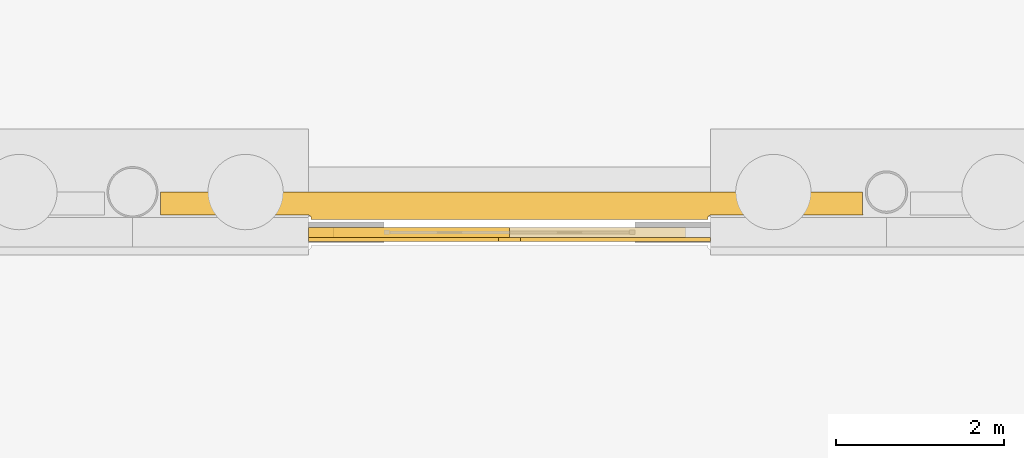
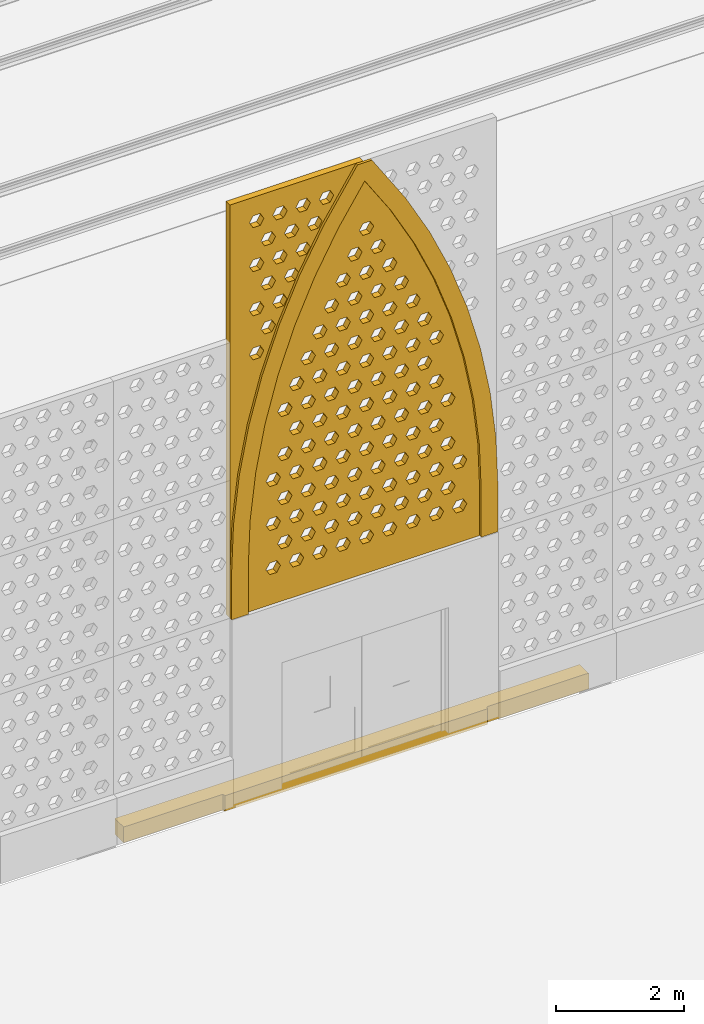
# One storey, part 198 of 250: 2 coverings, 2 shading devices.
"""IFC4 building model written with IfcOpenShell, lengths in metres."""

from ifc_helpers import new_model, si_unit, direction, frame, origin, place, context, subcontext, project, spatial, polyline, outline, extrude, material, layer, layer_set, type_object, element, save


model = new_model("IFC4")

# Units and contexts
model_context = context("Model", 3, precision=1e-05, world=origin(), true_north=direction((0.0, 1.0)))
body_context = subcontext(model_context, "Body", "Model", "MODEL_VIEW")
ifc_project = project(units=[si_unit("LENGTHUNIT", "METRE"), si_unit("AREAUNIT", "SQUARE_METRE"), si_unit("VOLUMEUNIT", "CUBIC_METRE"), si_unit("PLANEANGLEUNIT", "RADIAN"), si_unit("MASSUNIT", "GRAM", prefix="KILO")], contexts=[model_context])

# Site, building, storey
site_placement = place(None, origin())
site = spatial("IfcSite", under=ifc_project, at=site_placement, CompositionType="ELEMENT")
building_placement = place(site_placement, origin())
building = spatial("IfcBuilding", under=site, at=building_placement, Name="Baradari Gate Terminus", CompositionType="ELEMENT")
storey_placement = place(building_placement, origin())
storey = spatial("IfcBuildingStorey", under=building, at=storey_placement, Name="L00", CompositionType="ELEMENT", Elevation=0.0)

# Covering
ifc_material_1 = material(Name="Laterite masonry", Category="masonry")
ifc_layer_1 = layer(ifc_material_1, 0.050048828125)
ifc_layer_set_1 = layer_set([ifc_layer_1], Name="Laterite masonry")
covering_type_1 = type_object("IfcCoveringType", Name="Arch ring RG-1 50", PredefinedType="CLADDING", material=ifc_layer_set_1)
covering_1_placement = place(storey_placement, frame((191.10009765625, 35.43505859375, 3.52490234375), z_axis=(0.0, 0.0, 1.0), x_axis=(1.0, 0.0, 0.0)))
element("IfcCovering", 1, at=covering_1_placement, inside=storey, type_object=covering_type_1, Name="Arch ring RG-1 SC04b", PredefinedType="CLADDING", context=body_context, shape_type="SweptSolid", body=[
    extrude(outline(polyline([(0.034423828125, 1.8046875), (0.0, 0.90576171875), (0.0, 0.0), (0.300048828125, 0.0), (0.300048828125, 0.900146484375), (0.333740234375, 1.78173828125), (0.435302734375, 2.658203125), (0.603515625, 3.5244140625), (0.837646484375, 4.375), (1.13623046875, 5.205322265625), (1.49755859375, 6.01025390625), (1.919677734375, 6.784912109375), (2.39990234375, 7.525146484375), (2.880126953125, 6.784912109375), (3.30224609375, 6.01025390625), (3.663818359375, 5.205322265625), (3.96240234375, 4.375), (4.196533203125, 3.5244140625), (4.36474609375, 2.658203125), (4.466064453125, 1.78173828125), (4.5, 0.900146484375), (4.5, 0.0), (4.800048828125, 0.0), (4.800048828125, 0.90576171875), (4.765380859375, 1.8046875), (4.66162109375, 2.7041015625), (4.48876953125, 3.5927734375), (4.24853515625, 4.4658203125), (3.942138671875, 5.317626953125), (3.5712890625, 6.1435546875), (3.13818359375, 6.9384765625), (2.530517578125, 7.875), (2.26953125, 7.875), (1.661865234375, 6.9384765625), (1.228759765625, 6.1435546875), (0.85791015625, 5.317626953125), (0.55126953125, 4.4658203125), (0.31103515625, 3.5927734375), (0.138427734375, 2.7041015625), (0.034423828125, 1.8046875)])), frame((0.0, 0.02490234375, 0.0), z_axis=(0.0, -1.0, 0.0), x_axis=(1.0, 0.0, 0.0)), (0.0, 0.0, 1.0), 0.050048828125),
])

# Shading devices
ifc_material_2 = material(Name="Concrete C50/60 precast", Category="concrete")
ifc_layer_2 = layer(ifc_material_2, 0.1201171875)
ifc_layer_set_2 = layer_set([ifc_layer_2], Name="Concrete C50/60 precast")
shading_device_type = type_object("IfcShadingDeviceType", Name="Jali screen panel JS-2 120", PredefinedType="SHUTTER", material=ifc_layer_set_2)
shading_device_1_placement = place(storey_placement, frame((191.39990234375, 35.52001953125, 3.52490234375), z_axis=(0.0, 0.0, 1.0), x_axis=(1.0, 0.0, 0.0)))
element("IfcShadingDevice", 2, at=shading_device_1_placement, inside=storey, type_object=shading_device_type, Name="Jali screen panel JS-2 SC04b arch A", PredefinedType="SHUTTER", context=body_context, shape_type="SweptSolid", body=[
    extrude(outline(polyline([(0.0, 0.900146484375), (0.0, 0.0), (4.199951171875, 0.0), (4.199951171875, 0.900146484375), (4.166259765625, 1.78173828125), (4.064697265625, 2.658203125), (3.896484375, 3.5244140625), (3.662353515625, 4.375), (3.36376953125, 5.205322265625), (3.00244140625, 6.01025390625), (2.580322265625, 6.784912109375), (2.10009765625, 7.525146484375), (1.619873046875, 6.784912109375), (1.19775390625, 6.01025390625), (0.836181640625, 5.205322265625), (0.53759765625, 4.375), (0.303466796875, 3.5244140625), (0.13525390625, 2.658203125), (0.033935546875, 1.78173828125), (0.0, 0.900146484375)]), holes=[polyline([(0.610107421875, 0.690185546875), (0.544921875, 0.57763671875), (0.4150390625, 0.57763671875), (0.35009765625, 0.690185546875), (0.4150390625, 0.802734375), (0.544921875, 0.802734375), (0.610107421875, 0.690185546875)]), polyline([(1.030029296875, 0.690185546875), (0.965087890625, 0.57763671875), (0.8349609375, 0.57763671875), (0.77001953125, 0.690185546875), (0.8349609375, 0.802734375), (0.965087890625, 0.802734375), (1.030029296875, 0.690185546875)]), polyline([(1.449951171875, 0.690185546875), (1.385009765625, 0.57763671875), (1.2548828125, 0.57763671875), (1.18994140625, 0.690185546875), (1.2548828125, 0.802734375), (1.385009765625, 0.802734375), (1.449951171875, 0.690185546875)]), polyline([(1.8701171875, 0.690185546875), (1.804931640625, 0.57763671875), (1.675048828125, 0.57763671875), (1.610107421875, 0.690185546875), (1.675048828125, 0.802734375), (1.804931640625, 0.802734375), (1.8701171875, 0.690185546875)]), polyline([(2.2900390625, 0.690185546875), (2.22509765625, 0.57763671875), (2.094970703125, 0.57763671875), (2.030029296875, 0.690185546875), (2.094970703125, 0.802734375), (2.22509765625, 0.802734375), (2.2900390625, 0.690185546875)]), polyline([(2.7099609375, 0.690185546875), (2.64501953125, 0.57763671875), (2.514892578125, 0.57763671875), (2.449951171875, 0.690185546875), (2.514892578125, 0.802734375), (2.64501953125, 0.802734375), (2.7099609375, 0.690185546875)]), polyline([(3.1298828125, 0.690185546875), (3.06494140625, 0.57763671875), (2.93505859375, 0.57763671875), (2.8701171875, 0.690185546875), (2.93505859375, 0.802734375), (3.06494140625, 0.802734375), (3.1298828125, 0.690185546875)]), polyline([(3.550048828125, 0.690185546875), (3.485107421875, 0.57763671875), (3.35498046875, 0.57763671875), (3.2900390625, 0.690185546875), (3.35498046875, 0.802734375), (3.485107421875, 0.802734375), (3.550048828125, 0.690185546875)]), polyline([(3.969970703125, 0.690185546875), (3.905029296875, 0.57763671875), (3.77490234375, 0.57763671875), (3.7099609375, 0.690185546875), (3.77490234375, 0.802734375), (3.905029296875, 0.802734375), (3.969970703125, 0.690185546875)]), polyline([(0.820068359375, 1.110107421875), (0.7548828125, 0.99755859375), (0.625, 0.99755859375), (0.56005859375, 1.110107421875), (0.625, 1.22265625), (0.7548828125, 1.22265625), (0.820068359375, 1.110107421875)]), polyline([(1.239990234375, 1.110107421875), (1.175048828125, 0.99755859375), (1.044921875, 0.99755859375), (0.97998046875, 1.110107421875), (1.044921875, 1.22265625), (1.175048828125, 1.22265625), (1.239990234375, 1.110107421875)]), polyline([(1.659912109375, 1.110107421875), (1.594970703125, 0.99755859375), (1.465087890625, 0.99755859375), (1.39990234375, 1.110107421875), (1.465087890625, 1.22265625), (1.594970703125, 1.22265625), (1.659912109375, 1.110107421875)]), polyline([(2.080078125, 1.110107421875), (2.014892578125, 0.99755859375), (1.885009765625, 0.99755859375), (1.820068359375, 1.110107421875), (1.885009765625, 1.22265625), (2.014892578125, 1.22265625), (2.080078125, 1.110107421875)]), polyline([(2.5, 1.110107421875), (2.43505859375, 0.99755859375), (2.304931640625, 0.99755859375), (2.239990234375, 1.110107421875), (2.304931640625, 1.22265625), (2.43505859375, 1.22265625), (2.5, 1.110107421875)]), polyline([(2.919921875, 1.110107421875), (2.85498046875, 0.99755859375), (2.72509765625, 0.99755859375), (2.659912109375, 1.110107421875), (2.72509765625, 1.22265625), (2.85498046875, 1.22265625), (2.919921875, 1.110107421875)]), polyline([(3.340087890625, 1.110107421875), (3.27490234375, 0.99755859375), (3.14501953125, 0.99755859375), (3.080078125, 1.110107421875), (3.14501953125, 1.22265625), (3.27490234375, 1.22265625), (3.340087890625, 1.110107421875)]), polyline([(3.760009765625, 1.110107421875), (3.695068359375, 0.99755859375), (3.56494140625, 0.99755859375), (3.5, 1.110107421875), (3.56494140625, 1.22265625), (3.695068359375, 1.22265625), (3.760009765625, 1.110107421875)]), polyline([(0.610107421875, 1.530029296875), (0.544921875, 1.41748046875), (0.4150390625, 1.41748046875), (0.35009765625, 1.530029296875), (0.4150390625, 1.642578125), (0.544921875, 1.642578125), (0.610107421875, 1.530029296875)]), polyline([(1.030029296875, 1.530029296875), (0.965087890625, 1.41748046875), (0.8349609375, 1.41748046875), (0.77001953125, 1.530029296875), (0.8349609375, 1.642578125), (0.965087890625, 1.642578125), (1.030029296875, 1.530029296875)]), polyline([(1.449951171875, 1.530029296875), (1.385009765625, 1.41748046875), (1.2548828125, 1.41748046875), (1.18994140625, 1.530029296875), (1.2548828125, 1.642578125), (1.385009765625, 1.642578125), (1.449951171875, 1.530029296875)]), polyline([(1.8701171875, 1.530029296875), (1.804931640625, 1.41748046875), (1.675048828125, 1.41748046875), (1.610107421875, 1.530029296875), (1.675048828125, 1.642578125), (1.804931640625, 1.642578125), (1.8701171875, 1.530029296875)]), polyline([(2.2900390625, 1.530029296875), (2.22509765625, 1.41748046875), (2.094970703125, 1.41748046875), (2.030029296875, 1.530029296875), (2.094970703125, 1.642578125), (2.22509765625, 1.642578125), (2.2900390625, 1.530029296875)]), polyline([(2.7099609375, 1.530029296875), (2.64501953125, 1.41748046875), (2.514892578125, 1.41748046875), (2.449951171875, 1.530029296875), (2.514892578125, 1.642578125), (2.64501953125, 1.642578125), (2.7099609375, 1.530029296875)]), polyline([(3.1298828125, 1.530029296875), (3.06494140625, 1.41748046875), (2.93505859375, 1.41748046875), (2.8701171875, 1.530029296875), (2.93505859375, 1.642578125), (3.06494140625, 1.642578125), (3.1298828125, 1.530029296875)]), polyline([(3.550048828125, 1.530029296875), (3.485107421875, 1.41748046875), (3.35498046875, 1.41748046875), (3.2900390625, 1.530029296875), (3.35498046875, 1.642578125), (3.485107421875, 1.642578125), (3.550048828125, 1.530029296875)]), polyline([(3.969970703125, 1.530029296875), (3.905029296875, 1.41748046875), (3.77490234375, 1.41748046875), (3.7099609375, 1.530029296875), (3.77490234375, 1.642578125), (3.905029296875, 1.642578125), (3.969970703125, 1.530029296875)]), polyline([(0.820068359375, 1.9501953125), (0.7548828125, 1.83740234375), (0.625, 1.83740234375), (0.56005859375, 1.9501953125), (0.625, 2.062744140625), (0.7548828125, 2.062744140625), (0.820068359375, 1.9501953125)]), polyline([(1.239990234375, 1.9501953125), (1.175048828125, 1.83740234375), (1.044921875, 1.83740234375), (0.97998046875, 1.9501953125), (1.044921875, 2.062744140625), (1.175048828125, 2.062744140625), (1.239990234375, 1.9501953125)]), polyline([(1.659912109375, 1.9501953125), (1.594970703125, 1.83740234375), (1.465087890625, 1.83740234375), (1.39990234375, 1.9501953125), (1.465087890625, 2.062744140625), (1.594970703125, 2.062744140625), (1.659912109375, 1.9501953125)]), polyline([(2.080078125, 1.9501953125), (2.014892578125, 1.83740234375), (1.885009765625, 1.83740234375), (1.820068359375, 1.9501953125), (1.885009765625, 2.062744140625), (2.014892578125, 2.062744140625), (2.080078125, 1.9501953125)]), polyline([(2.5, 1.9501953125), (2.43505859375, 1.83740234375), (2.304931640625, 1.83740234375), (2.239990234375, 1.9501953125), (2.304931640625, 2.062744140625), (2.43505859375, 2.062744140625), (2.5, 1.9501953125)]), polyline([(2.919921875, 1.9501953125), (2.85498046875, 1.83740234375), (2.72509765625, 1.83740234375), (2.659912109375, 1.9501953125), (2.72509765625, 2.062744140625), (2.85498046875, 2.062744140625), (2.919921875, 1.9501953125)]), polyline([(3.340087890625, 1.9501953125), (3.27490234375, 1.83740234375), (3.14501953125, 1.83740234375), (3.080078125, 1.9501953125), (3.14501953125, 2.062744140625), (3.27490234375, 2.062744140625), (3.340087890625, 1.9501953125)]), polyline([(3.760009765625, 1.9501953125), (3.695068359375, 1.83740234375), (3.56494140625, 1.83740234375), (3.5, 1.9501953125), (3.56494140625, 2.062744140625), (3.695068359375, 2.062744140625), (3.760009765625, 1.9501953125)]), polyline([(0.610107421875, 2.3701171875), (0.544921875, 2.257568359375), (0.4150390625, 2.257568359375), (0.35009765625, 2.3701171875), (0.4150390625, 2.482666015625), (0.544921875, 2.482666015625), (0.610107421875, 2.3701171875)]), polyline([(1.030029296875, 2.3701171875), (0.965087890625, 2.257568359375), (0.8349609375, 2.257568359375), (0.77001953125, 2.3701171875), (0.8349609375, 2.482666015625), (0.965087890625, 2.482666015625), (1.030029296875, 2.3701171875)]), polyline([(1.449951171875, 2.3701171875), (1.385009765625, 2.257568359375), (1.2548828125, 2.257568359375), (1.18994140625, 2.3701171875), (1.2548828125, 2.482666015625), (1.385009765625, 2.482666015625), (1.449951171875, 2.3701171875)]), polyline([(1.8701171875, 2.3701171875), (1.804931640625, 2.257568359375), (1.675048828125, 2.257568359375), (1.610107421875, 2.3701171875), (1.675048828125, 2.482666015625), (1.804931640625, 2.482666015625), (1.8701171875, 2.3701171875)]), polyline([(2.2900390625, 2.3701171875), (2.22509765625, 2.257568359375), (2.094970703125, 2.257568359375), (2.030029296875, 2.3701171875), (2.094970703125, 2.482666015625), (2.22509765625, 2.482666015625), (2.2900390625, 2.3701171875)]), polyline([(2.7099609375, 2.3701171875), (2.64501953125, 2.257568359375), (2.514892578125, 2.257568359375), (2.449951171875, 2.3701171875), (2.514892578125, 2.482666015625), (2.64501953125, 2.482666015625), (2.7099609375, 2.3701171875)]), polyline([(3.1298828125, 2.3701171875), (3.06494140625, 2.257568359375), (2.93505859375, 2.257568359375), (2.8701171875, 2.3701171875), (2.93505859375, 2.482666015625), (3.06494140625, 2.482666015625), (3.1298828125, 2.3701171875)]), polyline([(3.550048828125, 2.3701171875), (3.485107421875, 2.257568359375), (3.35498046875, 2.257568359375), (3.2900390625, 2.3701171875), (3.35498046875, 2.482666015625), (3.485107421875, 2.482666015625), (3.550048828125, 2.3701171875)]), polyline([(0.820068359375, 2.7900390625), (0.7548828125, 2.677490234375), (0.625, 2.677490234375), (0.56005859375, 2.7900390625), (0.625, 2.902587890625), (0.7548828125, 2.902587890625), (0.820068359375, 2.7900390625)]), polyline([(1.239990234375, 2.7900390625), (1.175048828125, 2.677490234375), (1.044921875, 2.677490234375), (0.97998046875, 2.7900390625), (1.044921875, 2.902587890625), (1.175048828125, 2.902587890625), (1.239990234375, 2.7900390625)]), polyline([(1.659912109375, 2.7900390625), (1.594970703125, 2.677490234375), (1.465087890625, 2.677490234375), (1.39990234375, 2.7900390625), (1.465087890625, 2.902587890625), (1.594970703125, 2.902587890625), (1.659912109375, 2.7900390625)]), polyline([(2.080078125, 2.7900390625), (2.014892578125, 2.677490234375), (1.885009765625, 2.677490234375), (1.820068359375, 2.7900390625), (1.885009765625, 2.902587890625), (2.014892578125, 2.902587890625), (2.080078125, 2.7900390625)]), polyline([(2.5, 2.7900390625), (2.43505859375, 2.677490234375), (2.304931640625, 2.677490234375), (2.239990234375, 2.7900390625), (2.304931640625, 2.902587890625), (2.43505859375, 2.902587890625), (2.5, 2.7900390625)]), polyline([(2.919921875, 2.7900390625), (2.85498046875, 2.677490234375), (2.72509765625, 2.677490234375), (2.659912109375, 2.7900390625), (2.72509765625, 2.902587890625), (2.85498046875, 2.902587890625), (2.919921875, 2.7900390625)]), polyline([(3.340087890625, 2.7900390625), (3.27490234375, 2.677490234375), (3.14501953125, 2.677490234375), (3.080078125, 2.7900390625), (3.14501953125, 2.902587890625), (3.27490234375, 2.902587890625), (3.340087890625, 2.7900390625)]), polyline([(3.760009765625, 2.7900390625), (3.695068359375, 2.677490234375), (3.56494140625, 2.677490234375), (3.5, 2.7900390625), (3.56494140625, 2.902587890625), (3.695068359375, 2.902587890625), (3.760009765625, 2.7900390625)]), polyline([(1.030029296875, 3.210205078125), (0.965087890625, 3.097412109375), (0.8349609375, 3.097412109375), (0.77001953125, 3.210205078125), (0.8349609375, 3.32275390625), (0.965087890625, 3.32275390625), (1.030029296875, 3.210205078125)]), polyline([(1.449951171875, 3.210205078125), (1.385009765625, 3.097412109375), (1.2548828125, 3.097412109375), (1.18994140625, 3.210205078125), (1.2548828125, 3.32275390625), (1.385009765625, 3.32275390625), (1.449951171875, 3.210205078125)]), polyline([(1.8701171875, 3.210205078125), (1.804931640625, 3.097412109375), (1.675048828125, 3.097412109375), (1.610107421875, 3.210205078125), (1.675048828125, 3.32275390625), (1.804931640625, 3.32275390625), (1.8701171875, 3.210205078125)]), polyline([(2.2900390625, 3.210205078125), (2.22509765625, 3.097412109375), (2.094970703125, 3.097412109375), (2.030029296875, 3.210205078125), (2.094970703125, 3.32275390625), (2.22509765625, 3.32275390625), (2.2900390625, 3.210205078125)]), polyline([(2.7099609375, 3.210205078125), (2.64501953125, 3.097412109375), (2.514892578125, 3.097412109375), (2.449951171875, 3.210205078125), (2.514892578125, 3.32275390625), (2.64501953125, 3.32275390625), (2.7099609375, 3.210205078125)]), polyline([(3.1298828125, 3.210205078125), (3.06494140625, 3.097412109375), (2.93505859375, 3.097412109375), (2.8701171875, 3.210205078125), (2.93505859375, 3.32275390625), (3.06494140625, 3.32275390625), (3.1298828125, 3.210205078125)]), polyline([(3.550048828125, 3.210205078125), (3.485107421875, 3.097412109375), (3.35498046875, 3.097412109375), (3.2900390625, 3.210205078125), (3.35498046875, 3.32275390625), (3.485107421875, 3.32275390625), (3.550048828125, 3.210205078125)]), polyline([(0.820068359375, 3.630126953125), (0.7548828125, 3.517578125), (0.625, 3.517578125), (0.56005859375, 3.630126953125), (0.625, 3.74267578125), (0.7548828125, 3.74267578125), (0.820068359375, 3.630126953125)]), polyline([(1.239990234375, 3.630126953125), (1.175048828125, 3.517578125), (1.044921875, 3.517578125), (0.97998046875, 3.630126953125), (1.044921875, 3.74267578125), (1.175048828125, 3.74267578125), (1.239990234375, 3.630126953125)]), polyline([(1.659912109375, 3.630126953125), (1.594970703125, 3.517578125), (1.465087890625, 3.517578125), (1.39990234375, 3.630126953125), (1.465087890625, 3.74267578125), (1.594970703125, 3.74267578125), (1.659912109375, 3.630126953125)]), polyline([(2.080078125, 3.630126953125), (2.014892578125, 3.517578125), (1.885009765625, 3.517578125), (1.820068359375, 3.630126953125), (1.885009765625, 3.74267578125), (2.014892578125, 3.74267578125), (2.080078125, 3.630126953125)]), polyline([(2.5, 3.630126953125), (2.43505859375, 3.517578125), (2.304931640625, 3.517578125), (2.239990234375, 3.630126953125), (2.304931640625, 3.74267578125), (2.43505859375, 3.74267578125), (2.5, 3.630126953125)]), polyline([(2.919921875, 3.630126953125), (2.85498046875, 3.517578125), (2.72509765625, 3.517578125), (2.659912109375, 3.630126953125), (2.72509765625, 3.74267578125), (2.85498046875, 3.74267578125), (2.919921875, 3.630126953125)]), polyline([(3.340087890625, 3.630126953125), (3.27490234375, 3.517578125), (3.14501953125, 3.517578125), (3.080078125, 3.630126953125), (3.14501953125, 3.74267578125), (3.27490234375, 3.74267578125), (3.340087890625, 3.630126953125)]), polyline([(1.030029296875, 4.050048828125), (0.965087890625, 3.9375), (0.8349609375, 3.9375), (0.77001953125, 4.050048828125), (0.8349609375, 4.16259765625), (0.965087890625, 4.16259765625), (1.030029296875, 4.050048828125)]), polyline([(1.449951171875, 4.050048828125), (1.385009765625, 3.9375), (1.2548828125, 3.9375), (1.18994140625, 4.050048828125), (1.2548828125, 4.16259765625), (1.385009765625, 4.16259765625), (1.449951171875, 4.050048828125)]), polyline([(1.8701171875, 4.050048828125), (1.804931640625, 3.9375), (1.675048828125, 3.9375), (1.610107421875, 4.050048828125), (1.675048828125, 4.16259765625), (1.804931640625, 4.16259765625), (1.8701171875, 4.050048828125)]), polyline([(2.2900390625, 4.050048828125), (2.22509765625, 3.9375), (2.094970703125, 3.9375), (2.030029296875, 4.050048828125), (2.094970703125, 4.16259765625), (2.22509765625, 4.16259765625), (2.2900390625, 4.050048828125)]), polyline([(2.7099609375, 4.050048828125), (2.64501953125, 3.9375), (2.514892578125, 3.9375), (2.449951171875, 4.050048828125), (2.514892578125, 4.16259765625), (2.64501953125, 4.16259765625), (2.7099609375, 4.050048828125)]), polyline([(3.1298828125, 4.050048828125), (3.06494140625, 3.9375), (2.93505859375, 3.9375), (2.8701171875, 4.050048828125), (2.93505859375, 4.16259765625), (3.06494140625, 4.16259765625), (3.1298828125, 4.050048828125)]), polyline([(3.550048828125, 4.050048828125), (3.485107421875, 3.9375), (3.35498046875, 3.9375), (3.2900390625, 4.050048828125), (3.35498046875, 4.16259765625), (3.485107421875, 4.16259765625), (3.550048828125, 4.050048828125)]), polyline([(1.239990234375, 4.47021484375), (1.175048828125, 4.357421875), (1.044921875, 4.357421875), (0.97998046875, 4.47021484375), (1.044921875, 4.582763671875), (1.175048828125, 4.582763671875), (1.239990234375, 4.47021484375)]), polyline([(1.659912109375, 4.47021484375), (1.594970703125, 4.357421875), (1.465087890625, 4.357421875), (1.39990234375, 4.47021484375), (1.465087890625, 4.582763671875), (1.594970703125, 4.582763671875), (1.659912109375, 4.47021484375)]), polyline([(2.080078125, 4.47021484375), (2.014892578125, 4.357421875), (1.885009765625, 4.357421875), (1.820068359375, 4.47021484375), (1.885009765625, 4.582763671875), (2.014892578125, 4.582763671875), (2.080078125, 4.47021484375)]), polyline([(2.5, 4.47021484375), (2.43505859375, 4.357421875), (2.304931640625, 4.357421875), (2.239990234375, 4.47021484375), (2.304931640625, 4.582763671875), (2.43505859375, 4.582763671875), (2.5, 4.47021484375)]), polyline([(2.919921875, 4.47021484375), (2.85498046875, 4.357421875), (2.72509765625, 4.357421875), (2.659912109375, 4.47021484375), (2.72509765625, 4.582763671875), (2.85498046875, 4.582763671875), (2.919921875, 4.47021484375)]), polyline([(3.340087890625, 4.47021484375), (3.27490234375, 4.357421875), (3.14501953125, 4.357421875), (3.080078125, 4.47021484375), (3.14501953125, 4.582763671875), (3.27490234375, 4.582763671875), (3.340087890625, 4.47021484375)]), polyline([(1.449951171875, 4.89013671875), (1.385009765625, 4.777587890625), (1.2548828125, 4.777587890625), (1.18994140625, 4.89013671875), (1.2548828125, 5.002685546875), (1.385009765625, 5.002685546875), (1.449951171875, 4.89013671875)]), polyline([(1.8701171875, 4.89013671875), (1.804931640625, 4.777587890625), (1.675048828125, 4.777587890625), (1.610107421875, 4.89013671875), (1.675048828125, 5.002685546875), (1.804931640625, 5.002685546875), (1.8701171875, 4.89013671875)]), polyline([(2.2900390625, 4.89013671875), (2.22509765625, 4.777587890625), (2.094970703125, 4.777587890625), (2.030029296875, 4.89013671875), (2.094970703125, 5.002685546875), (2.22509765625, 5.002685546875), (2.2900390625, 4.89013671875)]), polyline([(2.7099609375, 4.89013671875), (2.64501953125, 4.777587890625), (2.514892578125, 4.777587890625), (2.449951171875, 4.89013671875), (2.514892578125, 5.002685546875), (2.64501953125, 5.002685546875), (2.7099609375, 4.89013671875)]), polyline([(3.1298828125, 4.89013671875), (3.06494140625, 4.777587890625), (2.93505859375, 4.777587890625), (2.8701171875, 4.89013671875), (2.93505859375, 5.002685546875), (3.06494140625, 5.002685546875), (3.1298828125, 4.89013671875)]), polyline([(1.659912109375, 5.31005859375), (1.594970703125, 5.197509765625), (1.465087890625, 5.197509765625), (1.39990234375, 5.31005859375), (1.465087890625, 5.422607421875), (1.594970703125, 5.422607421875), (1.659912109375, 5.31005859375)]), polyline([(2.080078125, 5.31005859375), (2.014892578125, 5.197509765625), (1.885009765625, 5.197509765625), (1.820068359375, 5.31005859375), (1.885009765625, 5.422607421875), (2.014892578125, 5.422607421875), (2.080078125, 5.31005859375)]), polyline([(2.5, 5.31005859375), (2.43505859375, 5.197509765625), (2.304931640625, 5.197509765625), (2.239990234375, 5.31005859375), (2.304931640625, 5.422607421875), (2.43505859375, 5.422607421875), (2.5, 5.31005859375)]), polyline([(2.919921875, 5.31005859375), (2.85498046875, 5.197509765625), (2.72509765625, 5.197509765625), (2.659912109375, 5.31005859375), (2.72509765625, 5.422607421875), (2.85498046875, 5.422607421875), (2.919921875, 5.31005859375)]), polyline([(1.8701171875, 5.72998046875), (1.804931640625, 5.617431640625), (1.675048828125, 5.617431640625), (1.610107421875, 5.72998046875), (1.675048828125, 5.8427734375), (1.804931640625, 5.8427734375), (1.8701171875, 5.72998046875)]), polyline([(2.2900390625, 5.72998046875), (2.22509765625, 5.617431640625), (2.094970703125, 5.617431640625), (2.030029296875, 5.72998046875), (2.094970703125, 5.8427734375), (2.22509765625, 5.8427734375), (2.2900390625, 5.72998046875)]), polyline([(2.7099609375, 5.72998046875), (2.64501953125, 5.617431640625), (2.514892578125, 5.617431640625), (2.449951171875, 5.72998046875), (2.514892578125, 5.8427734375), (2.64501953125, 5.8427734375), (2.7099609375, 5.72998046875)]), polyline([(2.080078125, 6.150146484375), (2.014892578125, 6.03759765625), (1.885009765625, 6.03759765625), (1.820068359375, 6.150146484375), (1.885009765625, 6.2626953125), (2.014892578125, 6.2626953125), (2.080078125, 6.150146484375)]), polyline([(2.5, 6.150146484375), (2.43505859375, 6.03759765625), (2.304931640625, 6.03759765625), (2.239990234375, 6.150146484375), (2.304931640625, 6.2626953125), (2.43505859375, 6.2626953125), (2.5, 6.150146484375)]), polyline([(2.2900390625, 6.570068359375), (2.22509765625, 6.45751953125), (2.094970703125, 6.45751953125), (2.030029296875, 6.570068359375), (2.094970703125, 6.6826171875), (2.22509765625, 6.6826171875), (2.2900390625, 6.570068359375)])]), frame((0.0, 0.06005859375, 0.0), z_axis=(0.0, -1.0, 0.0), x_axis=(1.0, 0.0, 0.0)), (0.0, 0.0, 1.0), 0.1201171875),
])
shading_device_2_placement = place(storey_placement, frame((191.10009765625, 35.52001953125, 3.52490234375), z_axis=(0.0, 0.0, 1.0), x_axis=(1.0, 0.0, 0.0)))
element("IfcShadingDevice", 3, at=shading_device_2_placement, inside=storey, type_object=shading_device_type, Name="Jali screen panel JS-2 SC04b arch L1", PredefinedType="SHUTTER", context=body_context, shape_type="SweptSolid", body=[
    extrude(outline(polyline([(0.0, 0.0), (0.300048828125, 0.0), (0.300048828125, 0.900146484375), (0.333740234375, 1.78173828125), (0.435302734375, 2.658203125), (0.603515625, 3.5244140625), (0.837646484375, 4.375), (1.13623046875, 5.205322265625), (1.49755859375, 6.01025390625), (1.919677734375, 6.784912109375), (2.39990234375, 7.525146484375), (2.39990234375, 7.875), (0.0, 7.875), (0.0, 0.0)]), holes=[polyline([(0.610107421875, 4.89013671875), (0.544921875, 4.777587890625), (0.4150390625, 4.777587890625), (0.35009765625, 4.89013671875), (0.4150390625, 5.002685546875), (0.544921875, 5.002685546875), (0.610107421875, 4.89013671875)]), polyline([(0.820068359375, 5.31005859375), (0.7548828125, 5.197509765625), (0.625, 5.197509765625), (0.56005859375, 5.31005859375), (0.625, 5.422607421875), (0.7548828125, 5.422607421875), (0.820068359375, 5.31005859375)]), polyline([(0.610107421875, 5.72998046875), (0.544921875, 5.617431640625), (0.4150390625, 5.617431640625), (0.35009765625, 5.72998046875), (0.4150390625, 5.8427734375), (0.544921875, 5.8427734375), (0.610107421875, 5.72998046875)]), polyline([(1.030029296875, 5.72998046875), (0.965087890625, 5.617431640625), (0.8349609375, 5.617431640625), (0.77001953125, 5.72998046875), (0.8349609375, 5.8427734375), (0.965087890625, 5.8427734375), (1.030029296875, 5.72998046875)]), polyline([(0.820068359375, 6.150146484375), (0.7548828125, 6.03759765625), (0.625, 6.03759765625), (0.56005859375, 6.150146484375), (0.625, 6.2626953125), (0.7548828125, 6.2626953125), (0.820068359375, 6.150146484375)]), polyline([(1.239990234375, 6.150146484375), (1.175048828125, 6.03759765625), (1.044921875, 6.03759765625), (0.97998046875, 6.150146484375), (1.044921875, 6.2626953125), (1.175048828125, 6.2626953125), (1.239990234375, 6.150146484375)]), polyline([(0.610107421875, 6.570068359375), (0.544921875, 6.45751953125), (0.4150390625, 6.45751953125), (0.35009765625, 6.570068359375), (0.4150390625, 6.6826171875), (0.544921875, 6.6826171875), (0.610107421875, 6.570068359375)]), polyline([(1.030029296875, 6.570068359375), (0.965087890625, 6.45751953125), (0.8349609375, 6.45751953125), (0.77001953125, 6.570068359375), (0.8349609375, 6.6826171875), (0.965087890625, 6.6826171875), (1.030029296875, 6.570068359375)]), polyline([(1.449951171875, 6.570068359375), (1.385009765625, 6.45751953125), (1.2548828125, 6.45751953125), (1.18994140625, 6.570068359375), (1.2548828125, 6.6826171875), (1.385009765625, 6.6826171875), (1.449951171875, 6.570068359375)]), polyline([(0.820068359375, 6.989990234375), (0.7548828125, 6.87744140625), (0.625, 6.87744140625), (0.56005859375, 6.989990234375), (0.625, 7.102783203125), (0.7548828125, 7.102783203125), (0.820068359375, 6.989990234375)]), polyline([(1.239990234375, 6.989990234375), (1.175048828125, 6.87744140625), (1.044921875, 6.87744140625), (0.97998046875, 6.989990234375), (1.044921875, 7.102783203125), (1.175048828125, 7.102783203125), (1.239990234375, 6.989990234375)]), polyline([(1.659912109375, 6.989990234375), (1.594970703125, 6.87744140625), (1.465087890625, 6.87744140625), (1.39990234375, 6.989990234375), (1.465087890625, 7.102783203125), (1.594970703125, 7.102783203125), (1.659912109375, 6.989990234375)]), polyline([(0.610107421875, 7.41015625), (0.544921875, 7.297607421875), (0.4150390625, 7.297607421875), (0.35009765625, 7.41015625), (0.4150390625, 7.522705078125), (0.544921875, 7.522705078125), (0.610107421875, 7.41015625)]), polyline([(1.030029296875, 7.41015625), (0.965087890625, 7.297607421875), (0.8349609375, 7.297607421875), (0.77001953125, 7.41015625), (0.8349609375, 7.522705078125), (0.965087890625, 7.522705078125), (1.030029296875, 7.41015625)]), polyline([(1.449951171875, 7.41015625), (1.385009765625, 7.297607421875), (1.2548828125, 7.297607421875), (1.18994140625, 7.41015625), (1.2548828125, 7.522705078125), (1.385009765625, 7.522705078125), (1.449951171875, 7.41015625)]), polyline([(1.8701171875, 7.41015625), (1.804931640625, 7.297607421875), (1.675048828125, 7.297607421875), (1.610107421875, 7.41015625), (1.675048828125, 7.522705078125), (1.804931640625, 7.522705078125), (1.8701171875, 7.41015625)])]), frame((0.0, 0.06005859375, 0.0), z_axis=(0.0, -1.0, 0.0), x_axis=(1.0, 0.0, 0.0)), (0.0, 0.0, 1.0), 0.1201171875),
])

# Covering
ifc_material_3 = material(Name="Planted lawn")
ifc_layer_3 = layer(ifc_material_3, 0.300048828125)
ifc_layer_set_3 = layer_set([ifc_layer_3], Name="Planted lawn")
covering_type_2 = type_object("IfcCoveringType", Name="Planted lawn bed LW-1 300", PredefinedType="USERDEFINED", material=ifc_layer_set_3)
covering_2_placement = place(storey_placement, frame((0.0, 0.0, -0.300048828125)))
element("IfcCovering", 4, at=covering_2_placement, inside=storey, type_object=covering_type_2, Name="Planted lawn 7", ObjectType="LAWN", PredefinedType="USERDEFINED", context=body_context, shape_type="SweptSolid", body=[
    extrude(outline(polyline([(191.111572265625, 35.72265625), (191.1142578125, 35.721435546875), (191.11669921875, 35.719970703125), (191.119140625, 35.71826171875), (191.12109375, 35.71630859375), (191.123291015625, 35.714111328125), (191.125, 35.711669921875), (191.12646484375, 35.709228515625), (191.127685546875, 35.70654296875), (191.128662109375, 35.70361328125), (191.12939453125, 35.700927734375), (191.1298828125, 35.697998046875), (191.1298828125, 35.695068359375), (191.1298828125, 35.675048828125), (195.8701171875, 35.675048828125), (195.8701171875, 35.695068359375), (195.8701171875, 35.697998046875), (195.87060546875, 35.700927734375), (195.871337890625, 35.70361328125), (195.872314453125, 35.70654296875), (195.87353515625, 35.709228515625), (195.875, 35.711669921875), (195.876708984375, 35.714111328125), (195.87890625, 35.71630859375), (195.880859375, 35.71826171875), (195.88330078125, 35.719970703125), (195.8857421875, 35.721435546875), (195.888427734375, 35.72265625), (195.891357421875, 35.7236328125), (195.89404296875, 35.724365234375), (195.89697265625, 35.724853515625), (195.89990234375, 35.72509765625), (197.724609375, 35.72509765625), (197.722900390625, 35.72705078125), (197.720947265625, 35.729248046875), (197.719482421875, 35.73193359375), (197.71826171875, 35.734619140625), (197.71728515625, 35.7373046875), (197.716552734375, 35.740234375), (197.716064453125, 35.7431640625), (197.716064453125, 35.74609375), (197.716064453125, 36.0), (189.3349609375, 36.0), (189.3349609375, 35.72509765625), (191.10009765625, 35.72509765625), (191.10302734375, 35.724853515625), (191.10595703125, 35.724365234375), (191.108642578125, 35.7236328125), (191.111572265625, 35.72265625)])), origin(), (0.0, 0.0, 1.0), 0.300048828125),
])

save(model, "model.ifc")
